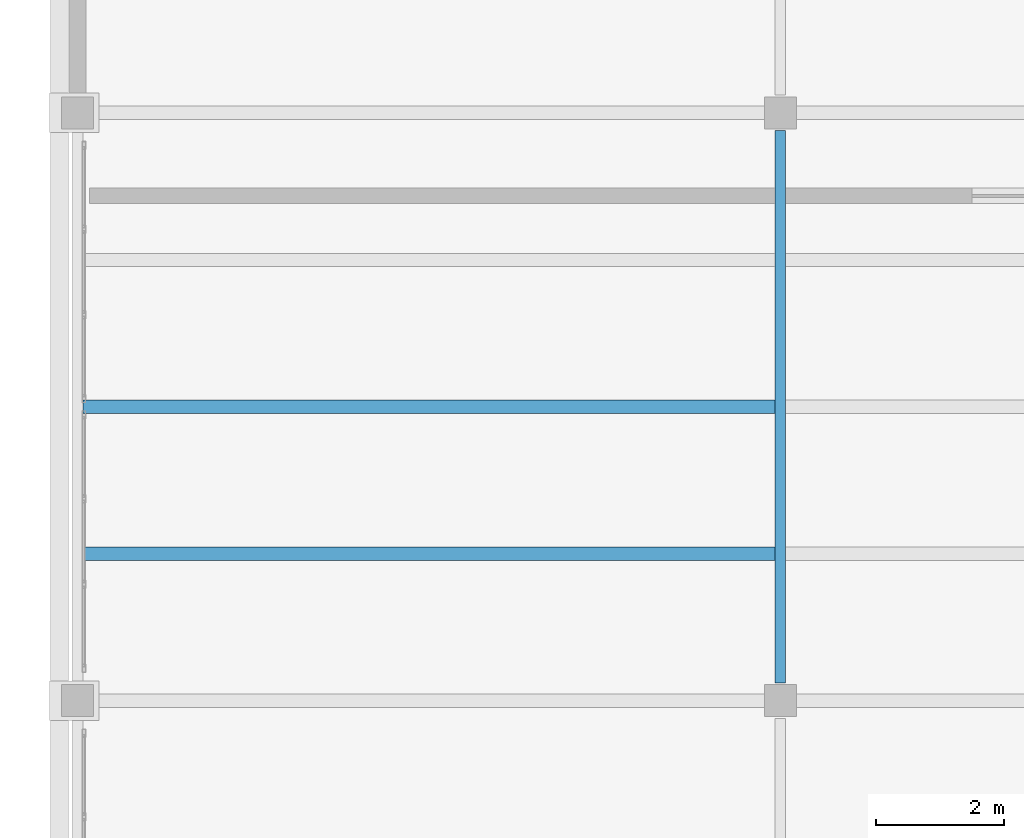
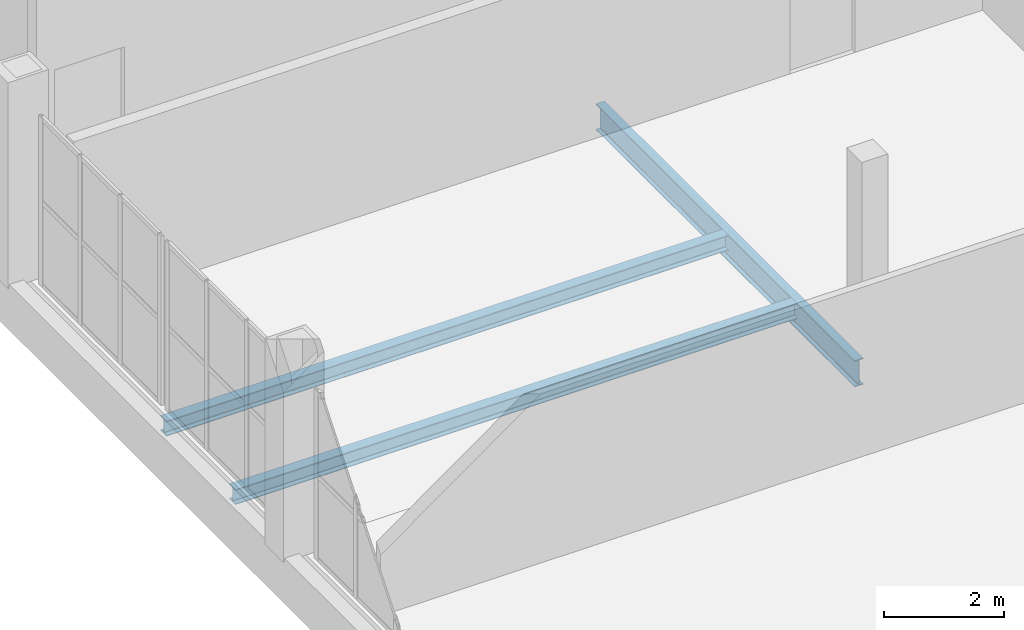
# One storey, part 19 of 26: 3 beams.
"""IFC4 building model written with IfcOpenShell, lengths in metres."""

from ifc_helpers import new_model, si_unit, direction, frame, origin, origin_2d, place, context, subcontext, project, spatial, i_section, extrude, material, material_profile, profile_set, type_object, element, save


model = new_model("IFC4")

# Units and contexts
model_context = context("Model", 3, precision=1e-05, world=origin(), true_north=direction((0.0, 1.0)))
body_context = subcontext(model_context, "Body", "Model", "MODEL_VIEW")
ifc_project = project(units=[si_unit("LENGTHUNIT", "METRE"), si_unit("AREAUNIT", "SQUARE_METRE"), si_unit("VOLUMEUNIT", "CUBIC_METRE"), si_unit("PLANEANGLEUNIT", "RADIAN"), si_unit("MASSUNIT", "GRAM", prefix="KILO")], contexts=[model_context])

# Site, building, storey
site_placement = place(None, origin())
site = spatial("IfcSite", under=ifc_project, at=site_placement, CompositionType="ELEMENT")
building_placement = place(site_placement, origin())
building = spatial("IfcBuilding", under=site, at=building_placement, Name="Caurita Quay Ferry Terminal", CompositionType="ELEMENT")
storey_placement = place(building_placement, frame((0.0, 0.0, 18.300048828125)))
storey = spatial("IfcBuildingStorey", under=building, at=storey_placement, Name="L04", CompositionType="ELEMENT", Elevation=18.300048828125)

# Beams
ifc_material = material(Name="Structural steel ASTM A992 Gr. 50", Category="steel")
ifc_material_profile_1 = material_profile(ifc_material, i_section(OverallWidth=0.20458984375, OverallDepth=0.307373046875, WebThickness=0.008544921875, FlangeThickness=0.0146484375, FilletRadius=0.0126953125, at=origin_2d()), Name="W12X45")
ifc_profile_set_1 = profile_set([ifc_material_profile_1], Name="Structural steel ASTM A992 Gr. 50")
beam_type_1 = type_object("IfcBeamType", Name="BM-JS-W12B", PredefinedType="JOIST", material=ifc_profile_set_1)
for number, where, z_axis, x_axis, name in (
    (1, (0.083251953125, 100.89990234375, -0.373779296875), (1.0, 0.0, 0.0), (0.0, 1.0, 0.0), "L04 Beam JS-V5-L04-008"),
    (2, (0.083251953125, 103.199951171875, -0.373779296875), (1.0, 0.0, 0.0), (0.0, 1.0, 0.0), "L04 Beam JS-V5-L04-009"),
):
    element("IfcBeam", number, at=place(storey_placement, frame(where, z_axis=z_axis, x_axis=x_axis)), inside=storey, type_object=beam_type_1, Name=name, PredefinedType="JOIST", context=body_context, shape_type="SweptSolid", body=[
        extrude(i_section(OverallWidth=0.20458984375, OverallDepth=0.307373046875, WebThickness=0.008544921875, FlangeThickness=0.0146484375, FilletRadius=0.0126953125, at=origin_2d()), origin(), (0.0, 0.0, 1.0), 10.83349609375),
    ])
ifc_material_profile_2 = material_profile(ifc_material, i_section(OverallWidth=0.16650390625, OverallDepth=0.535888671875, WebThickness=0.01025390625, FlangeThickness=0.0166015625, FilletRadius=0.013916015625, at=origin_2d()), Name="W21X57")
ifc_profile_set_2 = profile_set([ifc_material_profile_2], Name="Structural steel ASTM A992 Gr. 50")
beam_type_2 = type_object("IfcBeamType", Name="BM-SP-W21B", PredefinedType="SPANDREL", material=ifc_profile_set_2)
beam_placement = place(storey_placement, frame((11.0, 98.876220703125, -0.488037109375), z_axis=(0.0, 1.0, 0.0), x_axis=(-1.0, 0.0, 0.0)))
element("IfcBeam", 3, at=beam_placement, inside=storey, type_object=beam_type_2, Name="L04 Beam BM-V5-L04-Y-110-989", PredefinedType="SPANDREL", context=body_context, shape_type="SweptSolid", body=[
    extrude(i_section(OverallWidth=0.16650390625, OverallDepth=0.535888671875, WebThickness=0.01025390625, FlangeThickness=0.0166015625, FilletRadius=0.013916015625, at=origin_2d()), origin(), (0.0, 0.0, 1.0), 8.6474609375),
])

save(model, "model.ifc")
